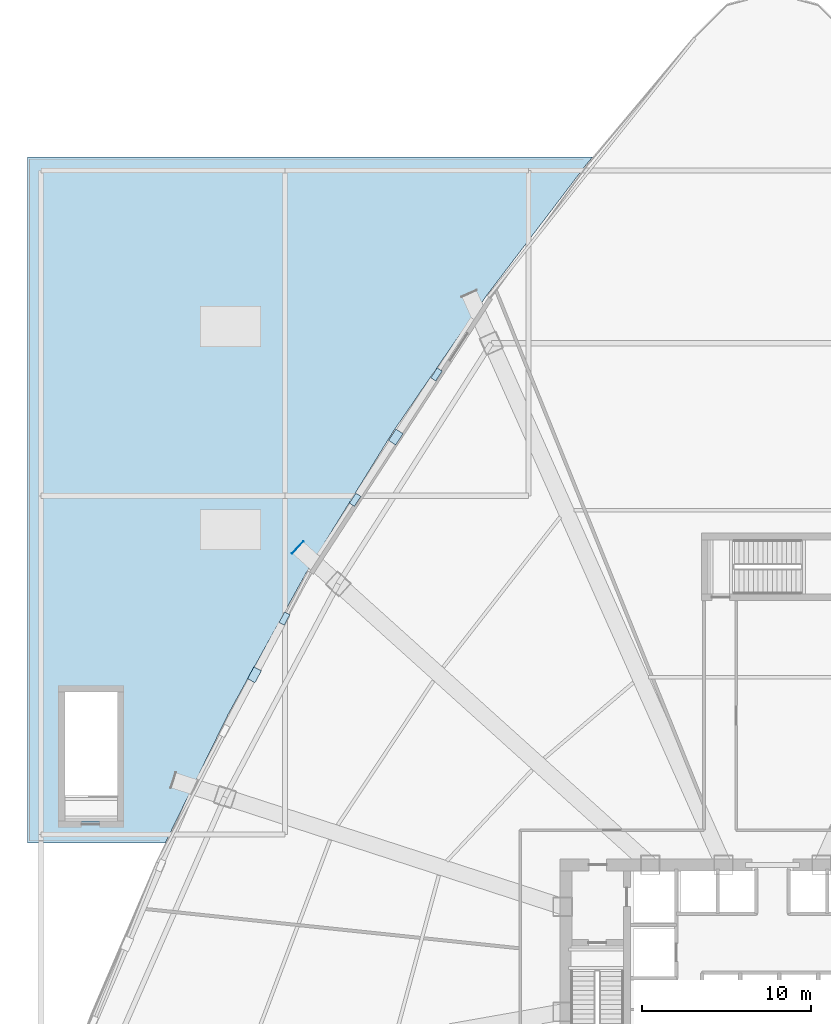
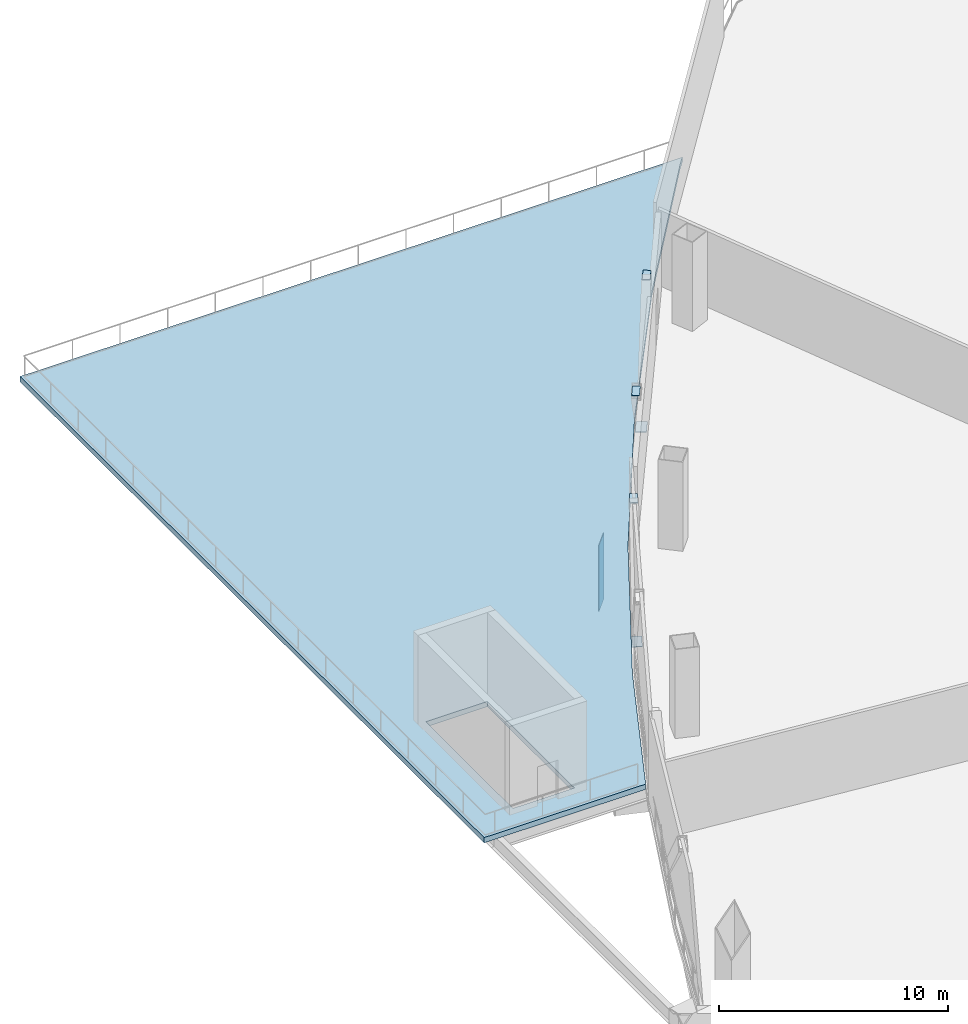
# One storey, part 5 of 18: 6 plates, 1 slab.
"""IFC4 building model written with IfcOpenShell, lengths in metres."""

from ifc_helpers import new_model, si_unit, direction, frame, origin, origin_2d, place, context, subcontext, project, spatial, polyline, rectangle, outline, extrude, source, transform, mapped, material, layer, layer_set, type_object, element, save


model = new_model("IFC4")

# Units and contexts
model_context = context("Model", 3, precision=1e-05, world=origin(), true_north=direction((0.0, 1.0)))
body_context = subcontext(model_context, "Body", "Model", "MODEL_VIEW")
ifc_project = project(units=[si_unit("LENGTHUNIT", "METRE"), si_unit("AREAUNIT", "SQUARE_METRE"), si_unit("VOLUMEUNIT", "CUBIC_METRE"), si_unit("PLANEANGLEUNIT", "RADIAN"), si_unit("MASSUNIT", "GRAM", prefix="KILO"), si_unit("THERMODYNAMICTEMPERATUREUNIT", "KELVIN"), si_unit("POWERUNIT", "WATT")], contexts=[model_context])

# Site, building, storey
site_placement = place(None, origin())
site = spatial("IfcSite", under=ifc_project, at=site_placement, CompositionType="ELEMENT")
building_placement = place(site_placement, origin())
building = spatial("IfcBuilding", under=site, at=building_placement, Name="Yunzhuo Pagoda Commons", CompositionType="ELEMENT")
storey_placement = place(building_placement, frame((0.0, 0.0, 25.39990234375)))
storey = spatial("IfcBuildingStorey", under=building, at=storey_placement, Name="L06", CompositionType="ELEMENT", Elevation=25.39990234375)

# Slab
ifc_material_1 = material(Name="Concrete C40", Category="concrete")
ifc_layer_1 = layer(ifc_material_1, 0.280029296875)
ifc_layer_set_1 = layer_set([ifc_layer_1], Name="Concrete C40")
slab_type = type_object("IfcSlabType", Name="SL-TER Outdoor Terrace Deck Slab 280", PredefinedType="FLOOR", material=ifc_layer_set_1)
slab_placement = place(storey_placement, frame((0.0, 0.0, -0.27978515625)))
element("IfcSlab", 1, at=slab_placement, inside=storey, type_object=slab_type, Name="L06 podium roof garden terrace 2", PredefinedType="FLOOR", context=body_context, shape_type="SweptSolid", body=[
    extrude(outline(polyline([(4.0, 82.0), (37.365966796875, 82.0), (37.02001953125, 81.587890625), (31.11376953125, 73.825439453125), (25.617919921875, 65.823486328125), (20.531982421875, 57.582275390625), (15.8564453125, 49.101318359375), (12.138427734375, 41.5), (4.0, 41.5), (4.0, 82.0)]), holes=[polyline([(9.300048828125, 42.800048828125), (9.300048828125, 50.39990234375), (6.199951171875, 50.39990234375), (6.199951171875, 42.800048828125), (9.300048828125, 42.800048828125)])]), origin(), (0.0, 0.0, 1.0), 0.27978515625),
])

# Plates
ifc_material_2 = material(Name="Structural steel Q420B", Category="steel")
ifc_layer_2 = layer(ifc_material_2, 0.0400390625)
ifc_layer_set_2 = layer_set([ifc_layer_2], Name="Structural steel Q420B")
plate_type_1 = type_object("IfcPlateType", Name="EP-TR2 Transfer Girder End Cap Plate 980x3540x40", PredefinedType="USERDEFINED", material=ifc_layer_set_2)
shared_shape_1 = source(origin(), body_context, "Body", "SweptSolid", [
    extrude(rectangle(XDim=0.97998046875, YDim=0.0400390625, at=origin_2d()), origin(), (0.0, 0.0, 1.0), 3.5400390625),
])
plate_placement = place(storey_placement, frame((19.959716796875, 58.947509765625, -3.7998046875), z_axis=(0.0, 0.0, 1.0), x_axis=(-0.669130606359, -0.743144825477, 0.0)))
element("IfcPlate", 2, at=plate_placement, inside=storey, type_object=plate_type_1, Name="L06 transfer girder end cap plate F3C2", ObjectType="END_PLATE", PredefinedType="USERDEFINED", context=body_context, shape_type="MappedRepresentation", body=[
    mapped(shared_shape_1, transform((0.0, 0.0, 0.0), scale=1.0)),
])
ifc_material_3 = material(Name="Structural steel Q355B", Category="steel")
ifc_layer_3 = layer(ifc_material_3, 0.028076171875)
ifc_layer_set_3 = layer_set([ifc_layer_3], Name="Structural steel Q355B")
plate_type_2 = type_object("IfcPlateType", Name="SP-ND1 Lattice Node Cap Plate 800x500x28", PredefinedType="USERDEFINED", material=ifc_layer_set_3)
shared_shape_2 = source(origin(), body_context, "Body", "SweptSolid", [
    extrude(rectangle(XDim=0.800048828125, YDim=0.5, at=origin_2d()), origin(), (0.0, 0.0, 1.0), 0.028076171875),
])
for number, where, z_axis, x_axis, name in (
    (3, (25.752197265625, 65.465576171875, -0.2939453125), (0.0, 0.0, 1.0), (-0.544668309809, -0.838651555946, 0.0), "L06 diamond node plate F3.1A"),
    (4, (17.401611328125, 51.427490234375, -0.2939453125), (0.0, 0.0, 1.0), (-0.470981088896, -0.882143306897, 0.0), "L06 diamond node plate F3.2A"),
):
    element("IfcPlate", number, at=place(storey_placement, frame(where, z_axis=z_axis, x_axis=x_axis)), inside=storey, type_object=plate_type_2, Name=name, ObjectType="STIFFENER_PLATE", PredefinedType="USERDEFINED", context=body_context, shape_type="MappedRepresentation", body=[
        mapped(shared_shape_2, transform((0.0, 0.0, 0.0), scale=1.0)),
    ])
shared_shape_3 = source(origin(), body_context, "Body", "SweptSolid", [
    extrude(rectangle(XDim=0.699951171875, YDim=0.35009765625, at=origin_2d()), origin(), (0.0, 0.0, 1.0), 0.035888671875),
])
for number, where, z_axis, x_axis, name in (
    (5, (28.15625, 69.16748046875, 4.7021484375), (0.0, 0.0, 1.0), (-0.544668309809, -0.838651555946, 0.0), "L06 setback lattice tie plate F3.1L"),
    (6, (23.347900390625, 61.763671875, 4.7021484375), (0.0, 0.0, 1.0), (-0.544668309809, -0.838651555946, 0.0), "L06 setback lattice tie plate F3.1R"),
    (7, (19.172607421875, 54.744384765625, 4.7021484375), (0.0, 0.0, 1.0), (-0.470981088896, -0.882143306897, 0.0), "L06 setback lattice tie plate F3.2L"),
):
    element("IfcPlate", number, at=place(storey_placement, frame(where, z_axis=z_axis, x_axis=x_axis)), inside=storey, type_object=plate_type_2, Name=name, ObjectType="STIFFENER_PLATE", PredefinedType="USERDEFINED", context=body_context, shape_type="MappedRepresentation", body=[
        mapped(shared_shape_3, transform((0.0, 0.0, 0.0), scale=1.0)),
    ])

save(model, "model.ifc")
